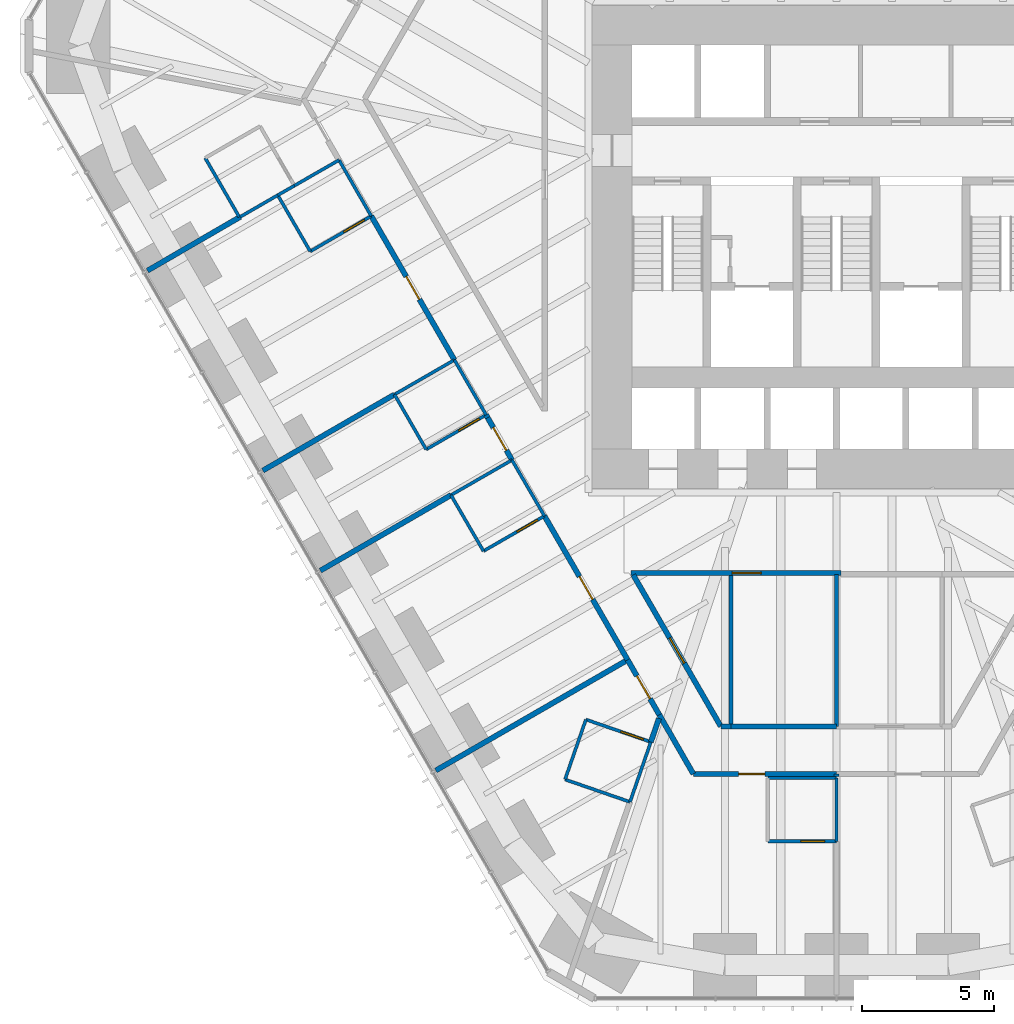
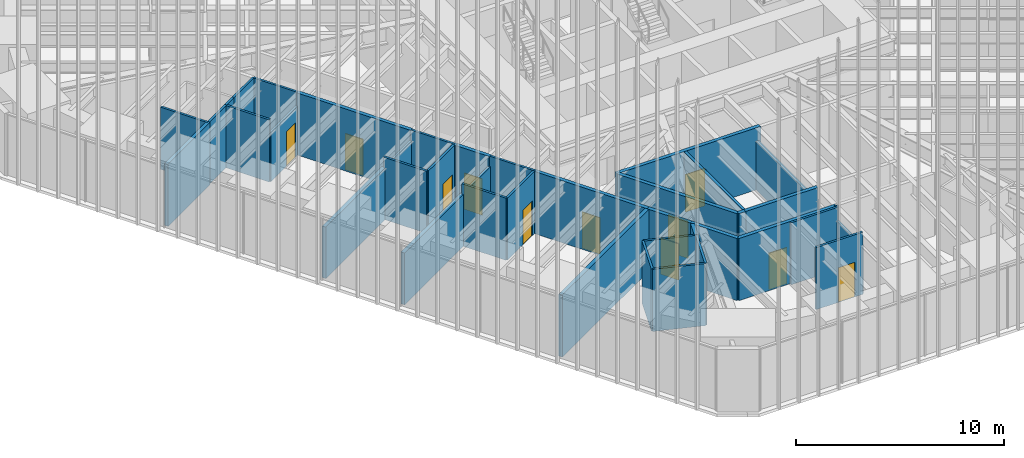
# One storey, part 250 of 256: 41 walls, 12 doors, 12 openings.
"""IFC4 building model written with IfcOpenShell, lengths in metres."""

from ifc_helpers import new_model, si_unit, direction, frame, frame_2d, origin, place, context, subcontext, project, spatial, rectangle, extrude, material, layer, layer_set, type_object, element, fill, save


model = new_model("IFC4")

# Units and contexts
model_context = context("Model", 3, precision=1e-05, world=origin(), true_north=direction((0.0, 1.0)))
body_context = subcontext(model_context, "Body", "Model", "MODEL_VIEW")
ifc_project = project(units=[si_unit("LENGTHUNIT", "METRE"), si_unit("AREAUNIT", "SQUARE_METRE"), si_unit("VOLUMEUNIT", "CUBIC_METRE"), si_unit("PLANEANGLEUNIT", "RADIAN"), si_unit("MASSUNIT", "GRAM", prefix="KILO")], contexts=[model_context])

# Site, building, storey
site_placement = place(None, origin())
site = spatial("IfcSite", under=ifc_project, at=site_placement, CompositionType="ELEMENT")
building_placement = place(site_placement, origin())
building = spatial("IfcBuilding", under=site, at=building_placement, Name="Sandreach Pilgrim Tower", CompositionType="ELEMENT")
storey_placement = place(building_placement, frame((0.0, 0.0, 23.0)))
storey = spatial("IfcBuildingStorey", under=building, at=storey_placement, Name="L04", CompositionType="ELEMENT", Elevation=23.0)

# Walls
ifc_material_1 = material(Name="Gypsum board on steel studs", Category="steel")
ifc_layer_1 = layer(ifc_material_1, 0.14990234375)
ifc_layer_set_1 = layer_set([ifc_layer_1], Name="Back of house wall 150")
wall_type_1 = type_object("IfcWallType", Name="Back of house wall 150", PredefinedType="PARTITIONING", material=ifc_layer_set_1)
wall_1_placement = place(storey_placement, frame((-4.0, -14.0, 0.0), z_axis=(0.0, 0.0, 1.0), x_axis=(0.0, -1.0, 0.0)))
element("IfcWall", 1, at=wall_1_placement, inside=storey, type_object=wall_type_1, Name="Back of house wall L04-068", PredefinedType="PARTITIONING", context=body_context, shape_type="SweptSolid", body=[
    extrude(rectangle(XDim=5.7099609375, YDim=0.14990234375, at=frame_2d((2.85498046875, 0.0))), origin(), (0.0, 0.0, 1.0), 3.639892578125),
])
wall_2_placement = place(storey_placement, frame((0.0, -13.949951171875, 0.0), z_axis=(0.0, 0.0, 1.0), x_axis=(0.0, -1.0, 0.0)))
element("IfcWall", 2, at=wall_2_placement, inside=storey, type_object=wall_type_1, Name="Back of house wall L04-083", PredefinedType="PARTITIONING", context=body_context, shape_type="SweptSolid", body=[
    extrude(rectangle(XDim=5.760009765625, YDim=0.14990234375, at=frame_2d((2.8798828125, 0.0))), origin(), (0.0, 0.0, 1.0), 2.860107421875),
])
ifc_material_2 = material(Name="Moisture-resistant gypsum board on steel studs", Category="steel")
ifc_layer_2 = layer(ifc_material_2, 0.1201171875)
ifc_layer_set_2 = layer_set([ifc_layer_2], Name="Bathroom partition 120")
wall_type_2 = type_object("IfcWallType", Name="Bathroom partition 120", PredefinedType="PARTITIONING", material=ifc_layer_set_2)
wall_3_placement = place(storey_placement, frame((-23.909912109375, 1.820068359375, 0.0), z_axis=(0.0, 0.0, 1.0), x_axis=(0.50026500294, -0.865872350196, 0.0)))
element("IfcWall", 3, at=wall_3_placement, inside=storey, type_object=wall_type_2, Name="Bathroom partition L04-004", PredefinedType="PARTITIONING", context=body_context, shape_type="SweptSolid", body=[
    extrude(rectangle(XDim=2.58349609375, YDim=0.1201171875, at=frame_2d((1.291748046875, 0.0))), origin(), (0.0, 0.0, 1.0), 3.639892578125),
])
wall_4_placement = place(storey_placement, frame((-22.580078125, -0.409912109375, 0.0), z_axis=(0.0, 0.0, 1.0), x_axis=(0.866054188497, 0.499950140102, 0.0)))
element("IfcWall", 4, at=wall_4_placement, inside=storey, type_object=wall_type_2, Name="Bathroom partition L04-005", PredefinedType="PARTITIONING", context=body_context, shape_type="SweptSolid", body=[
    extrude(rectangle(XDim=1.639892578125, YDim=0.1201171875, at=frame_2d((0.81982421875, 0.0))), origin(), (0.0, 0.0, 1.0), 3.639892578125),
])
wall_5_placement = place(storey_placement, frame((-21.159912109375, 0.409912109375, 0.0), z_axis=(0.0, 0.0, 1.0), x_axis=(0.868139588385, 0.496320113515, 0.0)))
element("IfcWall", 5, at=wall_5_placement, inside=storey, type_object=wall_type_2, Name="Bathroom partition L04-008", PredefinedType="PARTITIONING", context=body_context, shape_type="SweptSolid", body=[
    extrude(rectangle(XDim=0.7255859375, YDim=0.1201171875, at=frame_2d((0.36279296875, 0.0))), origin(), (0.0, 0.0, 1.0), 3.639892578125),
])
wall_6_placement = place(storey_placement, frame((-21.159912109375, 0.409912109375, 0.0), z_axis=(0.0, 0.0, 1.0), x_axis=(0.500089055364, -0.86597398154, 0.0)))
element("IfcWall", 6, at=wall_6_placement, inside=storey, type_object=wall_type_2, Name="Bathroom partition L04-009", PredefinedType="PARTITIONING", context=body_context, shape_type="SweptSolid", body=[
    extrude(rectangle(XDim=2.45947265625, YDim=0.1201171875, at=frame_2d((1.229736328125, 0.0))), origin(), (0.0, 0.0, 1.0), 3.639892578125),
])
wall_7_placement = place(storey_placement, frame((-20.530029296875, 0.77001953125, 0.0), z_axis=(0.0, 0.0, 1.0), x_axis=(0.867293167797, 0.497797711016, 0.0)))
element("IfcWall", 7, at=wall_7_placement, inside=storey, type_object=wall_type_2, Name="Bathroom partition L04-011", PredefinedType="PARTITIONING", context=body_context, shape_type="SweptSolid", body=[
    extrude(rectangle(XDim=1.948486328125, YDim=0.1201171875, at=frame_2d((0.97412109375, 0.0))), origin(), (0.0, 0.0, 1.0), 3.639892578125),
])

# Wall, opening, door
wall_8_placement = place(storey_placement, frame((-19.929931640625, -1.719970703125, 0.0), z_axis=(0.0, 0.0, 1.0), x_axis=(0.865006586495, 0.501760505939, 0.0)))
wall_8 = element("IfcWall", 8, at=wall_8_placement, inside=storey, type_object=wall_type_2, Name="Bathroom partition L04-016", PredefinedType="PARTITIONING", context=body_context, shape_type="SweptSolid", body=[
    extrude(rectangle(XDim=2.670166015625, YDim=0.1201171875, at=frame_2d((1.3349609375, 0.0))), origin(), (0.0, 0.0, 1.0), 2.8779296875),
])
opening_1_placement = place(wall_8_placement, frame((1.470458984375, 0.0, 0.0)))
opening_1 = element("IfcOpeningElement", 9, at=opening_1_placement, cuts=wall_8, Name="Opening D09-18B", PredefinedType="OPENING", context=body_context, shape_type="SweptSolid", body=[
    extrude(rectangle(XDim=0.89990234375, YDim=2.030029296875, at=frame_2d((0.449951171875, 1.01513671875))), frame((0.0, 0.06005859375, 0.0), z_axis=(0.0, -1.0, 0.0), x_axis=(1.0, 0.0, 0.0)), (0.0, 0.0, 1.0), 0.1201171875),
])
ifc_material_3 = material(Name="Timber door, steel frame", Category="steel")
door_type_1 = type_object("IfcDoorType", Name="Bathroom door", OperationType="SINGLE_SWING_LEFT", PredefinedType="DOOR", material=ifc_material_3)
door_1_placement = place(opening_1_placement, origin())
door_1 = element("IfcDoor", 10, at=door_1_placement, inside=storey, type_object=door_type_1, Name="Door 0418B", OperationType="SINGLE_SWING_RIGHT", OverallHeight=2.030029296875, OverallWidth=0.89990234375, PredefinedType="DOOR", context=body_context, shape_type="SweptSolid", body=[
    extrude(rectangle(XDim=0.89990234375, YDim=2.030029296875, at=frame_2d((0.449951171875, 1.01513671875))), frame((0.0, 0.02490234375, 0.0), z_axis=(0.0, -1.0, 0.0), x_axis=(1.0, 0.0, 0.0)), (0.0, 0.0, 1.0), 0.050048828125),
])
fill(opening_1, door_1)

# Walls
wall_9_placement = place(storey_placement, frame((-18.840087890625, 1.739990234375, 0.0), z_axis=(0.0, 0.0, 1.0), x_axis=(0.498791783817, -0.866721844883, 0.0)))
element("IfcWall", 11, at=wall_9_placement, inside=storey, type_object=wall_type_2, Name="Bathroom partition L04-020", PredefinedType="PARTITIONING", context=body_context, shape_type="SweptSolid", body=[
    extrude(rectangle(XDim=2.44580078125, YDim=0.1201171875, at=frame_2d((1.222900390625, 0.0))), origin(), (0.0, 0.0, 1.0), 3.639892578125),
])
wall_10_placement = place(storey_placement, frame((-16.739990234375, -7.139892578125, 0.0), z_axis=(0.0, 0.0, 1.0), x_axis=(0.499693115345, -0.866202511239, 0.0)))
element("IfcWall", 12, at=wall_10_placement, inside=storey, type_object=wall_type_2, Name="Bathroom partition L04-028", PredefinedType="PARTITIONING", context=body_context, shape_type="SweptSolid", body=[
    extrude(rectangle(XDim=2.4013671875, YDim=0.1201171875, at=frame_2d((1.20068359375, 0.0))), origin(), (0.0, 0.0, 1.0), 3.639892578125),
])
wall_11_placement = place(storey_placement, frame((-16.739990234375, -7.139892578125, 0.0), z_axis=(0.0, 0.0, 1.0), x_axis=(0.866154567199, 0.49977621564, 0.0)))
element("IfcWall", 13, at=wall_11_placement, inside=storey, type_object=wall_type_2, Name="Bathroom partition L04-029", PredefinedType="PARTITIONING", context=body_context, shape_type="SweptSolid", body=[
    extrude(rectangle(XDim=2.620849609375, YDim=0.1201171875, at=frame_2d((1.310546875, 0.0))), origin(), (0.0, 0.0, 1.0), 3.022705078125),
])

# Wall, opening, door
wall_12_placement = place(storey_placement, frame((-15.5400390625, -9.219970703125, 0.0), z_axis=(0.0, 0.0, 1.0), x_axis=(0.866114241029, 0.499846097802, 0.0)))
wall_12 = element("IfcWall", 14, at=wall_12_placement, inside=storey, type_object=wall_type_2, Name="Bathroom partition L04-031", PredefinedType="PARTITIONING", context=body_context, shape_type="SweptSolid", body=[
    extrude(rectangle(XDim=2.620849609375, YDim=0.1201171875, at=frame_2d((1.310546875, 0.0))), origin(), (0.0, 0.0, 1.0), 3.639892578125),
])
opening_2_placement = place(wall_12_placement, frame((1.4208984375, 0.0, 0.0)))
opening_2 = element("IfcOpeningElement", 15, at=opening_2_placement, cuts=wall_12, Name="Opening D09-17B", PredefinedType="OPENING", context=body_context, shape_type="SweptSolid", body=[
    extrude(rectangle(XDim=0.89990234375, YDim=2.030029296875, at=frame_2d((0.449951171875, 1.01513671875))), frame((0.0, 0.06005859375, 0.0), z_axis=(0.0, -1.0, 0.0), x_axis=(1.0, 0.0, 0.0)), (0.0, 0.0, 1.0), 0.1201171875),
])
door_2_placement = place(opening_2_placement, origin())
door_2 = element("IfcDoor", 16, at=door_2_placement, inside=storey, type_object=door_type_1, Name="Door 0417B", OperationType="SINGLE_SWING_RIGHT", OverallHeight=2.030029296875, OverallWidth=0.89990234375, PredefinedType="DOOR", context=body_context, shape_type="SweptSolid", body=[
    extrude(rectangle(XDim=0.89990234375, YDim=2.030029296875, at=frame_2d((0.449951171875, 1.01513671875))), frame((0.0, 0.02490234375, 0.0), z_axis=(0.0, -1.0, 0.0), x_axis=(1.0, 0.0, 0.0)), (0.0, 0.0, 1.0), 0.050048828125),
])
fill(opening_2, door_2)

# Walls
wall_13_placement = place(storey_placement, frame((-14.60009765625, -10.949951171875, 0.0), z_axis=(0.0, 0.0, 1.0), x_axis=(0.501888006485, -0.864932615264, 0.0)))
element("IfcWall", 17, at=wall_13_placement, inside=storey, type_object=wall_type_2, Name="Bathroom partition L04-033", PredefinedType="PARTITIONING", context=body_context, shape_type="SweptSolid", body=[
    extrude(rectangle(XDim=2.451171875, YDim=0.1201171875, at=frame_2d((1.2255859375, 0.0))), origin(), (0.0, 0.0, 1.0), 3.639892578125),
])
wall_14_placement = place(storey_placement, frame((-14.60009765625, -10.949951171875, 0.0), z_axis=(0.0, 0.0, 1.0), x_axis=(0.866654860089, 0.498908161372, 0.0)))
element("IfcWall", 18, at=wall_14_placement, inside=storey, type_object=wall_type_2, Name="Bathroom partition L04-034", PredefinedType="PARTITIONING", context=body_context, shape_type="SweptSolid", body=[
    extrude(rectangle(XDim=2.66552734375, YDim=0.1201171875, at=frame_2d((1.332763671875, 0.0))), origin(), (0.0, 0.0, 1.0), 3.0380859375),
])
wall_15_placement = place(storey_placement, frame((-14.469970703125, -5.830078125, 0.0), z_axis=(0.0, 0.0, 1.0), x_axis=(0.499737123639, -0.866177122335, 0.0)))
element("IfcWall", 19, at=wall_15_placement, inside=storey, type_object=wall_type_2, Name="Bathroom partition L04-035", PredefinedType="PARTITIONING", context=body_context, shape_type="SweptSolid", body=[
    extrude(rectangle(XDim=2.401123046875, YDim=0.1201171875, at=frame_2d((1.20068359375, 0.0))), origin(), (0.0, 0.0, 1.0), 3.639892578125),
])

# Wall, opening, door
wall_16_placement = place(storey_placement, frame((-13.3701171875, -13.070068359375, 0.0), z_axis=(0.0, 0.0, 1.0), x_axis=(0.866615255992, 0.498976951453, 0.0)))
wall_16 = element("IfcWall", 20, at=wall_16_placement, inside=storey, type_object=wall_type_2, Name="Bathroom partition L04-038", PredefinedType="PARTITIONING", context=body_context, shape_type="SweptSolid", body=[
    extrude(rectangle(XDim=2.66552734375, YDim=0.1201171875, at=frame_2d((1.332763671875, 0.0))), origin(), (0.0, 0.0, 1.0), 3.639892578125),
])
opening_3_placement = place(wall_16_placement, frame((1.465576171875, 0.0, 0.0)))
opening_3 = element("IfcOpeningElement", 21, at=opening_3_placement, cuts=wall_16, Name="Opening D09-16B", PredefinedType="OPENING", context=body_context, shape_type="SweptSolid", body=[
    extrude(rectangle(XDim=0.89990234375, YDim=2.030029296875, at=frame_2d((0.449951171875, 1.01513671875))), frame((0.0, 0.06005859375, 0.0), z_axis=(0.0, -1.0, 0.0), x_axis=(1.0, 0.0, 0.0)), (0.0, 0.0, 1.0), 0.1201171875),
])
door_3_placement = place(opening_3_placement, origin())
door_3 = element("IfcDoor", 22, at=door_3_placement, inside=storey, type_object=door_type_1, Name="Door 0416B", OperationType="SINGLE_SWING_RIGHT", OverallHeight=2.030029296875, OverallWidth=0.89990234375, PredefinedType="DOOR", context=body_context, shape_type="SweptSolid", body=[
    extrude(rectangle(XDim=0.89990234375, YDim=2.030029296875, at=frame_2d((0.449951171875, 1.01513671875))), frame((0.0, 0.02490234375, 0.0), z_axis=(0.0, -1.0, 0.0), x_axis=(1.0, 0.0, 0.0)), (0.0, 0.0, 1.0), 0.050048828125),
])
fill(opening_3, door_3)

# Walls
wall_17_placement = place(storey_placement, frame((-12.2900390625, -9.6201171875, 0.0), z_axis=(0.0, 0.0, 1.0), x_axis=(0.501856726365, -0.86495076519, 0.0)))
element("IfcWall", 23, at=wall_17_placement, inside=storey, type_object=wall_type_2, Name="Bathroom partition L04-043", PredefinedType="PARTITIONING", context=body_context, shape_type="SweptSolid", body=[
    extrude(rectangle(XDim=2.450927734375, YDim=0.1201171875, at=frame_2d((1.2255859375, 0.0))), origin(), (0.0, 0.0, 1.0), 3.639892578125),
])
wall_18_placement = place(storey_placement, frame((-10.280029296875, -21.719970703125, 0.0), z_axis=(0.0, 0.0, 1.0), x_axis=(0.94515546045, -0.326620813149, 0.0)))
element("IfcWall", 24, at=wall_18_placement, inside=storey, type_object=wall_type_2, Name="Bathroom partition L04-050", PredefinedType="PARTITIONING", context=body_context, shape_type="SweptSolid", body=[
    extrude(rectangle(XDim=2.602783203125, YDim=0.1201171875, at=frame_2d((1.30126953125, 0.0))), origin(), (0.0, 0.0, 1.0), 3.639892578125),
])
for number, where, z_axis, x_axis, name in (
    (25, (-9.489990234375, -19.449951171875, 0.0), (0.0, 0.0, 1.0), (-0.328693963496, -0.944436487203, 0.0), "Bathroom partition L04-052"),
    (26, (-7.820068359375, -22.570068359375, 0.0), (0.0, 0.0, 1.0), (0.328693963496, 0.944436487203, 0.0), "Bathroom partition L04-059"),
):
    element("IfcWall", number, at=place(storey_placement, frame(where, z_axis=z_axis, x_axis=x_axis)), inside=storey, type_object=wall_type_2, Name=name, PredefinedType="PARTITIONING", context=body_context, shape_type="SweptSolid", body=[
        extrude(rectangle(XDim=2.403564453125, YDim=0.1201171875, at=frame_2d((1.20166015625, 0.0))), origin(), (0.0, 0.0, 1.0), 3.639892578125),
    ])

# Wall, opening, door
wall_19_placement = place(storey_placement, frame((-7.030029296875, -20.300048828125, 0.0), z_axis=(0.0, 0.0, 1.0), x_axis=(-0.94515546045, 0.326620813149, 0.0)))
wall_19 = element("IfcWall", 27, at=wall_19_placement, inside=storey, type_object=wall_type_2, Name="Bathroom partition L04-060", PredefinedType="PARTITIONING", context=body_context, shape_type="SweptSolid", body=[
    extrude(rectangle(XDim=2.602783203125, YDim=0.1201171875, at=frame_2d((1.30126953125, 0.0))), origin(), (0.0, 0.0, 1.0), 3.639892578125),
])
opening_4_placement = place(wall_19_placement, frame((0.300048828125, 0.0, 0.0)))
opening_4 = element("IfcOpeningElement", 28, at=opening_4_placement, cuts=wall_19, Name="Opening D09-15B", PredefinedType="OPENING", context=body_context, shape_type="SweptSolid", body=[
    extrude(rectangle(XDim=0.89990234375, YDim=2.030029296875, at=frame_2d((0.449951171875, 1.01513671875))), frame((0.0, 0.06005859375, 0.0), z_axis=(0.0, -1.0, 0.0), x_axis=(1.0, 0.0, 0.0)), (0.0, 0.0, 1.0), 0.1201171875),
])
door_4_placement = place(opening_4_placement, origin())
door_4 = element("IfcDoor", 29, at=door_4_placement, inside=storey, type_object=door_type_1, Name="Door 0415B", OperationType="SINGLE_SWING_LEFT", OverallHeight=2.030029296875, OverallWidth=0.89990234375, PredefinedType="DOOR", context=body_context, shape_type="SweptSolid", body=[
    extrude(rectangle(XDim=0.89990234375, YDim=2.030029296875, at=frame_2d((0.449951171875, 1.01513671875))), frame((0.0, 0.02490234375, 0.0), z_axis=(0.0, -1.0, 0.0), x_axis=(1.0, 0.0, 0.0)), (0.0, 0.0, 1.0), 0.050048828125),
])
fill(opening_4, door_4)

wall_20_placement = place(storey_placement, frame((-2.60009765625, -24.06005859375, 0.0), z_axis=(0.0, 0.0, 1.0), x_axis=(1.0, 0.0, 0.0)))
wall_20 = element("IfcWall", 30, at=wall_20_placement, inside=storey, type_object=wall_type_2, Name="Bathroom partition L04-069", PredefinedType="PARTITIONING", context=body_context, shape_type="SweptSolid", body=[
    extrude(rectangle(XDim=2.60009765625, YDim=0.1201171875, at=frame_2d((1.300048828125, 0.0))), origin(), (0.0, 0.0, 1.0), 3.639892578125),
])
opening_5_placement = place(wall_20_placement, frame((1.25, 0.0, 0.0)))
opening_5 = element("IfcOpeningElement", 31, at=opening_5_placement, cuts=wall_20, Name="Opening D09-14B", PredefinedType="OPENING", context=body_context, shape_type="SweptSolid", body=[
    extrude(rectangle(XDim=0.89990234375, YDim=2.030029296875, at=frame_2d((0.449951171875, 1.01513671875))), frame((0.0, 0.06005859375, 0.0), z_axis=(0.0, -1.0, 0.0), x_axis=(1.0, 0.0, 0.0)), (0.0, 0.0, 1.0), 0.1201171875),
])
door_5_placement = place(opening_5_placement, origin())
door_5 = element("IfcDoor", 32, at=door_5_placement, inside=storey, type_object=door_type_1, Name="Door 0414B", OperationType="SINGLE_SWING_RIGHT", OverallHeight=2.030029296875, OverallWidth=0.89990234375, PredefinedType="DOOR", context=body_context, shape_type="SweptSolid", body=[
    extrude(rectangle(XDim=0.89990234375, YDim=2.030029296875, at=frame_2d((0.449951171875, 1.01513671875))), frame((0.0, 0.02490234375, 0.0), z_axis=(0.0, -1.0, 0.0), x_axis=(1.0, 0.0, 0.0)), (0.0, 0.0, 1.0), 0.050048828125),
])
fill(opening_5, door_5)

# Walls
wall_21_placement = place(storey_placement, frame((0.0, -24.06005859375, 0.0), z_axis=(0.0, 0.0, 1.0), x_axis=(0.0, 1.0, 0.0)))
element("IfcWall", 33, at=wall_21_placement, inside=storey, type_object=wall_type_2, Name="Bathroom partition L04-078", PredefinedType="PARTITIONING", context=body_context, shape_type="SweptSolid", body=[
    extrude(rectangle(XDim=2.400146484375, YDim=0.1201171875, at=frame_2d((1.2001953125, 0.0))), origin(), (0.0, 0.0, 1.0), 2.860107421875),
])
wall_22_placement = place(storey_placement, frame((0.0, -21.659912109375, 0.0), z_axis=(0.0, 0.0, 1.0), x_axis=(-1.0, 0.0, 0.0)))
element("IfcWall", 34, at=wall_22_placement, inside=storey, type_object=wall_type_2, Name="Bathroom partition L04-079", PredefinedType="PARTITIONING", context=body_context, shape_type="SweptSolid", body=[
    extrude(rectangle(XDim=2.60009765625, YDim=0.1201171875, at=frame_2d((1.300048828125, 0.0))), origin(), (0.0, 0.0, 1.0), 3.639892578125),
])

# Wall, opening, door
ifc_material_4 = material(Name="Gypsum board on steel studs, two layers each side", Category="steel")
ifc_layer_3 = layer(ifc_material_4, 0.199951171875)
ifc_layer_set_3 = layer_set([ifc_layer_3], Name="Corridor wall 200")
wall_type_3 = type_object("IfcWallType", Name="Corridor wall 200", PredefinedType="PARTITIONING", material=ifc_layer_set_3)
wall_23_placement = place(storey_placement, frame((-17.6201171875, -0.3798828125, 0.0), z_axis=(0.0, 0.0, 1.0), x_axis=(0.500413927211, -0.865786290867, 0.0)))
wall_23 = element("IfcWall", 35, at=wall_23_placement, inside=storey, type_object=wall_type_3, Name="Corridor wall L04-024", PredefinedType="PARTITIONING", context=body_context, shape_type="SweptSolid", body=[
    extrude(rectangle(XDim=6.295166015625, YDim=0.199951171875, at=frame_2d((3.1474609375, 0.0))), origin(), (0.0, 0.0, 1.0), 3.639892578125),
])
opening_6_placement = place(wall_23_placement, frame((2.6474609375, 0.0, 0.0)))
opening_6 = element("IfcOpeningElement", 36, at=opening_6_placement, cuts=wall_23, Name="Opening D10-18", PredefinedType="OPENING", context=body_context, shape_type="SweptSolid", body=[
    extrude(rectangle(XDim=1.0, YDim=2.1298828125, at=frame_2d((0.5, 1.06494140625))), frame((0.0, 0.10009765625, 0.0), z_axis=(0.0, -1.0, 0.0), x_axis=(1.0, 0.0, 0.0)), (0.0, 0.0, 1.0), 0.199951171875),
])
ifc_material_5 = material(Name="Steel door and frame", Category="steel")
door_type_2 = type_object("IfcDoorType", Name="Guest room entry door", OperationType="SINGLE_SWING_LEFT", PredefinedType="DOOR", material=ifc_material_5)
door_6_placement = place(opening_6_placement, origin())
door_6 = element("IfcDoor", 37, at=door_6_placement, inside=storey, type_object=door_type_2, Name="Door 0418", OperationType="SINGLE_SWING_LEFT", OverallHeight=2.1298828125, OverallWidth=1.0, PredefinedType="DOOR", context=body_context, shape_type="SweptSolid", body=[
    extrude(rectangle(XDim=1.0, YDim=2.1298828125, at=frame_2d((0.5, 1.06494140625))), frame((0.0, 0.02490234375, 0.0), z_axis=(0.0, -1.0, 0.0), x_axis=(1.0, 0.0, 0.0)), (0.0, 0.0, 1.0), 0.050048828125),
])
fill(opening_6, door_6)

# Wall
wall_24_placement = place(storey_placement, frame((-13.27001953125, -7.909912109375, 0.0), z_axis=(0.0, 0.0, 1.0), x_axis=(0.478852130681, -0.877895572914, 0.0)))
element("IfcWall", 38, at=wall_24_placement, inside=storey, type_object=wall_type_3, Name="Corridor wall L04-039", PredefinedType="PARTITIONING", context=body_context, shape_type="SweptSolid", body=[
    extrude(rectangle(XDim=0.12548828125, YDim=0.199951171875, at=frame_2d((0.062744140625, 0.0))), origin(), (0.0, 0.0, 1.0), 3.639892578125),
])

# Wall, opening, door
wall_25_placement = place(storey_placement, frame((-13.2099609375, -8.02001953125, 0.0), z_axis=(0.0, 0.0, 1.0), x_axis=(0.498473609767, -0.866904873885, 0.0)))
wall_25 = element("IfcWall", 39, at=wall_25_placement, inside=storey, type_object=wall_type_3, Name="Corridor wall L04-040", PredefinedType="PARTITIONING", context=body_context, shape_type="SweptSolid", body=[
    extrude(rectangle(XDim=1.845458984375, YDim=0.199951171875, at=frame_2d((0.9228515625, 0.0))), origin(), (0.0, 0.0, 1.0), 3.639892578125),
])
opening_7_placement = place(wall_25_placement, frame((0.4228515625, 0.0, 0.0)))
opening_7 = element("IfcOpeningElement", 40, at=opening_7_placement, cuts=wall_25, Name="Opening D10-17", PredefinedType="OPENING", context=body_context, shape_type="SweptSolid", body=[
    extrude(rectangle(XDim=1.0, YDim=2.1298828125, at=frame_2d((0.5, 1.06494140625))), frame((0.0, 0.10009765625, 0.0), z_axis=(0.0, -1.0, 0.0), x_axis=(1.0, 0.0, 0.0)), (0.0, 0.0, 1.0), 0.199951171875),
])
door_7_placement = place(opening_7_placement, origin())
door_7 = element("IfcDoor", 41, at=door_7_placement, inside=storey, type_object=door_type_2, Name="Door 0417", OperationType="SINGLE_SWING_LEFT", OverallHeight=2.1298828125, OverallWidth=1.0, PredefinedType="DOOR", context=body_context, shape_type="SweptSolid", body=[
    extrude(rectangle(XDim=1.0, YDim=2.1298828125, at=frame_2d((0.5, 1.06494140625))), frame((0.0, 0.02490234375, 0.0), z_axis=(0.0, -1.0, 0.0), x_axis=(1.0, 0.0, 0.0)), (0.0, 0.0, 1.0), 0.050048828125),
])
fill(opening_7, door_7)

wall_26_placement = place(storey_placement, frame((-11.059814453125, -11.73974609375, 0.0), z_axis=(0.0, 0.0, 1.0), x_axis=(0.500384855356, -0.865803093394, 0.0)))
wall_26 = element("IfcWall", 42, at=wall_26_placement, inside=storey, type_object=wall_type_3, Name="Corridor wall L04-047", PredefinedType="PARTITIONING", context=body_context, shape_type="SweptSolid", body=[
    extrude(rectangle(XDim=6.294921875, YDim=0.199951171875, at=frame_2d((3.1474609375, 0.0))), origin(), (0.0, 0.0, 1.0), 3.639892578125),
])
opening_8_placement = place(wall_26_placement, frame((2.6474609375, 0.0, 0.0)))
opening_8 = element("IfcOpeningElement", 43, at=opening_8_placement, cuts=wall_26, Name="Opening D10-16", PredefinedType="OPENING", context=body_context, shape_type="SweptSolid", body=[
    extrude(rectangle(XDim=1.0, YDim=2.1298828125, at=frame_2d((0.5, 1.06494140625))), frame((0.0, 0.10009765625, 0.0), z_axis=(0.0, -1.0, 0.0), x_axis=(1.0, 0.0, 0.0)), (0.0, 0.0, 1.0), 0.199951171875),
])
door_8_placement = place(opening_8_placement, origin())
door_8 = element("IfcDoor", 44, at=door_8_placement, inside=storey, type_object=door_type_2, Name="Door 0416", OperationType="SINGLE_SWING_LEFT", OverallHeight=2.1298828125, OverallWidth=1.0, PredefinedType="DOOR", context=body_context, shape_type="SweptSolid", body=[
    extrude(rectangle(XDim=1.0, YDim=2.1298828125, at=frame_2d((0.5, 1.06494140625))), frame((0.0, 0.02490234375, 0.0), z_axis=(0.0, -1.0, 0.0), x_axis=(1.0, 0.0, 0.0)), (0.0, 0.0, 1.0), 0.050048828125),
])
fill(opening_8, door_8)

wall_27_placement = place(storey_placement, frame((-7.909912109375, -17.18994140625, 0.0), z_axis=(0.0, 0.0, 1.0), x_axis=(0.499693115345, -0.866202511239, 0.0)))
wall_27 = element("IfcWall", 45, at=wall_27_placement, inside=storey, type_object=wall_type_3, Name="Corridor wall L04-058", PredefinedType="PARTITIONING", context=body_context, shape_type="SweptSolid", body=[
    extrude(rectangle(XDim=2.4013671875, YDim=0.199951171875, at=frame_2d((1.20068359375, 0.0))), origin(), (0.0, 0.0, 1.0), 3.639892578125),
])
opening_9_placement = place(wall_27_placement, frame((0.70068359375, 0.0, 0.0)))
opening_9 = element("IfcOpeningElement", 46, at=opening_9_placement, cuts=wall_27, Name="Opening D10-15", PredefinedType="OPENING", context=body_context, shape_type="SweptSolid", body=[
    extrude(rectangle(XDim=1.0, YDim=2.1298828125, at=frame_2d((0.5, 1.06494140625))), frame((0.0, 0.10009765625, 0.0), z_axis=(0.0, -1.0, 0.0), x_axis=(1.0, 0.0, 0.0)), (0.0, 0.0, 1.0), 0.199951171875),
])
door_9_placement = place(opening_9_placement, origin())
door_9 = element("IfcDoor", 47, at=door_9_placement, inside=storey, type_object=door_type_2, Name="Door 0415", OperationType="SINGLE_SWING_LEFT", OverallHeight=2.1298828125, OverallWidth=1.0, PredefinedType="DOOR", context=body_context, shape_type="SweptSolid", body=[
    extrude(rectangle(XDim=1.0, YDim=2.1298828125, at=frame_2d((0.5, 1.06494140625))), frame((0.0, 0.02490234375, 0.0), z_axis=(0.0, -1.0, 0.0), x_axis=(1.0, 0.0, 0.0)), (0.0, 0.0, 1.0), 0.050048828125),
])
fill(opening_9, door_9)

# Wall
wall_28_placement = place(storey_placement, frame((-5.419921875, -21.510009765625, 0.0), z_axis=(0.0, 0.0, 1.0), x_axis=(-0.499065468721, 0.866564283784, 0.0)))
element("IfcWall", 48, at=wall_28_placement, inside=storey, type_object=wall_type_3, Name="Corridor wall L04-062", PredefinedType="PARTITIONING", context=body_context, shape_type="SweptSolid", body=[
    extrude(rectangle(XDim=2.5849609375, YDim=0.199951171875, at=frame_2d((1.29248046875, 0.0))), origin(), (0.0, 0.0, 1.0), 3.639892578125),
])

# Wall, opening, door
wall_29_placement = place(storey_placement, frame((-5.419921875, -21.510009765625, 0.0), z_axis=(0.0, 0.0, 1.0), x_axis=(1.0, 0.0, 0.0)))
wall_29 = element("IfcWall", 49, at=wall_29_placement, inside=storey, type_object=wall_type_3, Name="Corridor wall L04-063", PredefinedType="PARTITIONING", context=body_context, shape_type="SweptSolid", body=[
    extrude(rectangle(XDim=5.419921875, YDim=0.199951171875, at=frame_2d((2.7099609375, 0.0))), origin(), (0.0, 0.0, 1.0), 3.639892578125),
])
opening_10_placement = place(wall_29_placement, frame((1.7099609375, 0.0, 0.0)))
opening_10 = element("IfcOpeningElement", 50, at=opening_10_placement, cuts=wall_29, Name="Opening D10-14", PredefinedType="OPENING", context=body_context, shape_type="SweptSolid", body=[
    extrude(rectangle(XDim=1.0, YDim=2.1298828125, at=frame_2d((0.5, 1.06494140625))), frame((0.0, 0.10009765625, 0.0), z_axis=(0.0, -1.0, 0.0), x_axis=(1.0, 0.0, 0.0)), (0.0, 0.0, 1.0), 0.199951171875),
])
door_10_placement = place(opening_10_placement, origin())
door_10 = element("IfcDoor", 51, at=door_10_placement, inside=storey, type_object=door_type_2, Name="Door 0414", OperationType="SINGLE_SWING_LEFT", OverallHeight=2.1298828125, OverallWidth=1.0, PredefinedType="DOOR", context=body_context, shape_type="SweptSolid", body=[
    extrude(rectangle(XDim=1.0, YDim=2.1298828125, at=frame_2d((0.5, 1.06494140625))), frame((0.0, 0.02490234375, 0.0), z_axis=(0.0, -1.0, 0.0), x_axis=(1.0, 0.0, 0.0)), (0.0, 0.0, 1.0), 0.050048828125),
])
fill(opening_10, door_10)

wall_30_placement = place(storey_placement, frame((-4.3798828125, -19.7099609375, 0.0), z_axis=(0.0, 0.0, 1.0), x_axis=(-0.500523653757, 0.865722860984, 0.0)))
wall_30 = element("IfcWall", 52, at=wall_30_placement, inside=storey, type_object=wall_type_3, Name="Corridor wall L04-066", PredefinedType="PARTITIONING", context=body_context, shape_type="SweptSolid", body=[
    extrude(rectangle(XDim=6.62841796875, YDim=0.199951171875, at=frame_2d((3.314208984375, 0.0))), origin(), (0.0, 0.0, 1.0), 3.639892578125),
])
opening_11_placement = place(wall_30_placement, frame((2.76416015625, 0.0, 0.0)))
opening_11 = element("IfcOpeningElement", 53, at=opening_11_placement, cuts=wall_30, Name="Opening D11H-S1", PredefinedType="OPENING", context=body_context, shape_type="SweptSolid", body=[
    extrude(rectangle(XDim=1.10009765625, YDim=2.199951171875, at=frame_2d((0.550048828125, 1.10009765625))), frame((0.0, 0.10009765625, 0.0), z_axis=(0.0, -1.0, 0.0), x_axis=(1.0, 0.0, 0.0)), (0.0, 0.0, 1.0), 0.199951171875),
])
ifc_material_6 = material(Name="Steel door and frame", Category="steel")
door_type_3 = type_object("IfcDoorType", Name="Back of house door", OperationType="SINGLE_SWING_LEFT", PredefinedType="DOOR", material=ifc_material_6)
door_11_placement = place(opening_11_placement, origin())
door_11 = element("IfcDoor", 54, at=door_11_placement, inside=storey, type_object=door_type_3, Name="Door 04S1", OperationType="SINGLE_SWING_LEFT", OverallHeight=2.199951171875, OverallWidth=1.10009765625, PredefinedType="DOOR", context=body_context, shape_type="SweptSolid", body=[
    extrude(rectangle(XDim=1.10009765625, YDim=2.199951171875, at=frame_2d((0.550048828125, 1.10009765625))), frame((0.0, 0.02490234375, 0.0), z_axis=(0.0, -1.0, 0.0), x_axis=(1.0, 0.0, 0.0)), (0.0, 0.0, 1.0), 0.050048828125),
])
fill(opening_11, door_11)

# Walls
wall_31_placement = place(storey_placement, frame((-4.0, -19.7099609375, 0.0), z_axis=(0.0, 0.0, 1.0), x_axis=(-1.0, 0.0, 0.0)))
element("IfcWall", 55, at=wall_31_placement, inside=storey, type_object=wall_type_3, Name="Corridor wall L04-067", PredefinedType="PARTITIONING", context=body_context, shape_type="SweptSolid", body=[
    extrude(rectangle(XDim=0.3798828125, YDim=0.199951171875, at=frame_2d((0.18994140625, 0.0))), origin(), (0.0, 0.0, 1.0), 3.639892578125),
])
wall_32_placement = place(storey_placement, frame((0.0, -19.7099609375, 0.0), z_axis=(0.0, 0.0, 1.0), x_axis=(-1.0, 0.0, 0.0)))
element("IfcWall", 56, at=wall_32_placement, inside=storey, type_object=wall_type_3, Name="Corridor wall L04-082", PredefinedType="PARTITIONING", context=body_context, shape_type="SweptSolid", body=[
    extrude(rectangle(XDim=4.0, YDim=0.199951171875, at=frame_2d((2.0, 0.0))), origin(), (0.0, 0.0, 1.0), 3.639892578125),
])

# Wall, opening, door
wall_33_placement = place(storey_placement, frame((0.179931640625, -13.89990234375, 0.0), z_axis=(0.0, 0.0, 1.0), x_axis=(-1.0, 0.0, 0.0)))
wall_33 = element("IfcWall", 57, at=wall_33_placement, inside=storey, type_object=wall_type_3, Name="Corridor wall L04-088", PredefinedType="PARTITIONING", context=body_context, shape_type="SweptSolid", body=[
    extrude(rectangle(XDim=7.969970703125, YDim=0.199951171875, at=frame_2d((3.98486328125, 0.0))), origin(), (0.0, 0.0, 1.0), 3.639892578125),
])
opening_12_placement = place(wall_33_placement, frame((3.034912109375, 0.0, 0.0)))
opening_12 = element("IfcOpeningElement", 58, at=opening_12_placement, cuts=wall_33, Name="Opening D11H-S2", PredefinedType="OPENING", context=body_context, shape_type="SweptSolid", body=[
    extrude(rectangle(XDim=1.10009765625, YDim=2.199951171875, at=frame_2d((0.550048828125, 1.10009765625))), frame((0.0, 0.10009765625, 0.0), z_axis=(0.0, -1.0, 0.0), x_axis=(1.0, 0.0, 0.0)), (0.0, 0.0, 1.0), 0.199951171875),
])
door_12_placement = place(opening_12_placement, origin())
door_12 = element("IfcDoor", 59, at=door_12_placement, inside=storey, type_object=door_type_3, Name="Door 04S2", OperationType="SINGLE_SWING_LEFT", OverallHeight=2.199951171875, OverallWidth=1.10009765625, PredefinedType="DOOR", context=body_context, shape_type="SweptSolid", body=[
    extrude(rectangle(XDim=1.10009765625, YDim=2.199951171875, at=frame_2d((0.550048828125, 1.10009765625))), frame((0.0, 0.02490234375, 0.0), z_axis=(0.0, -1.0, 0.0), x_axis=(1.0, 0.0, 0.0)), (0.0, 0.0, 1.0), 0.050048828125),
])
fill(opening_12, door_12)

# Walls
ifc_material_7 = material(Name="Double steel stud acoustic wall, gypsum board", Category="steel")
ifc_layer_4 = layer(ifc_material_7, 0.199951171875)
ifc_layer_set_4 = layer_set([ifc_layer_4], Name="Party wall 200")
wall_type_4 = type_object("IfcWallType", Name="Party wall 200", PredefinedType="PARTITIONING", material=ifc_layer_set_4)
wall_34_placement = place(storey_placement, frame((-26.09619140625, -2.44970703125, 0.0), z_axis=(0.0, 0.0, 1.0), x_axis=(0.864983223647, 0.501800780001, 0.0)))
element("IfcWall", 60, at=wall_34_placement, inside=storey, type_object=wall_type_4, Name="Party wall L04-002", PredefinedType="PARTITIONING", context=body_context, shape_type="SweptSolid", body=[
    extrude(rectangle(XDim=4.06494140625, YDim=0.199951171875, at=frame_2d((2.032470703125, 0.0))), origin(), (0.0, 0.0, 1.0), 3.639892578125),
])
wall_35_placement = place(storey_placement, frame((-21.72607421875, -10.02001953125, 0.0), z_axis=(0.0, 0.0, 1.0), x_axis=(0.865919350456, 0.50018364478, 0.0)))
element("IfcWall", 61, at=wall_35_placement, inside=storey, type_object=wall_type_4, Name="Party wall L04-007", PredefinedType="PARTITIONING", context=body_context, shape_type="SweptSolid", body=[
    extrude(rectangle(XDim=5.758056640625, YDim=0.199951171875, at=frame_2d((2.87890625, 0.0))), origin(), (0.0, 0.0, 1.0), 3.022705078125),
])
wall_36_placement = place(storey_placement, frame((-19.546142578125, -13.809814453125, 0.0), z_axis=(0.0, 0.0, 1.0), x_axis=(0.865702137343, 0.500559496364, 0.0)))
element("IfcWall", 62, at=wall_36_placement, inside=storey, type_object=wall_type_4, Name="Party wall L04-017", PredefinedType="PARTITIONING", context=body_context, shape_type="SweptSolid", body=[
    extrude(rectangle(XDim=5.71337890625, YDim=0.199951171875, at=frame_2d((2.856689453125, 0.0))), origin(), (0.0, 0.0, 1.0), 3.0380859375),
])
wall_37_placement = place(storey_placement, frame((-15.176025390625, -21.380126953125, 0.0), z_axis=(0.0, 0.0, 1.0), x_axis=(0.866276837306, 0.49956425127, 0.0)))
element("IfcWall", 63, at=wall_37_placement, inside=storey, type_object=wall_type_4, Name="Party wall L04-032", PredefinedType="PARTITIONING", context=body_context, shape_type="SweptSolid", body=[
    extrude(rectangle(XDim=8.37255859375, YDim=0.199951171875, at=frame_2d((4.186279296875, 0.0))), origin(), (0.0, 0.0, 1.0), 3.639892578125),
])
wall_38_placement = place(storey_placement, frame((-7.030029296875, -20.300048828125, 0.0), z_axis=(0.0, 0.0, 1.0), x_axis=(0.32487799312, 0.945755935528, 0.0)))
element("IfcWall", 64, at=wall_38_placement, inside=storey, type_object=wall_type_4, Name="Party wall L04-061", PredefinedType="PARTITIONING", context=body_context, shape_type="SweptSolid", body=[
    extrude(rectangle(XDim=0.94677734375, YDim=0.199951171875, at=frame_2d((0.473388671875, 0.0))), origin(), (0.0, 0.0, 1.0), 3.639892578125),
])
wall_39_placement = place(storey_placement, frame((0.0, -21.60009765625, 0.0), z_axis=(0.0, 0.0, 1.0), x_axis=(0.0, 1.0, 0.0)))
element("IfcWall", 65, at=wall_39_placement, inside=storey, type_object=wall_type_4, Name="Party wall L04-080", PredefinedType="PARTITIONING", context=body_context, shape_type="SweptSolid", body=[
    extrude(rectangle(XDim=0.090087890625, YDim=0.199951171875, at=frame_2d((0.044921875, 0.0))), origin(), (0.0, 0.0, 1.0), 3.639892578125),
])

save(model, "model.ifc")
